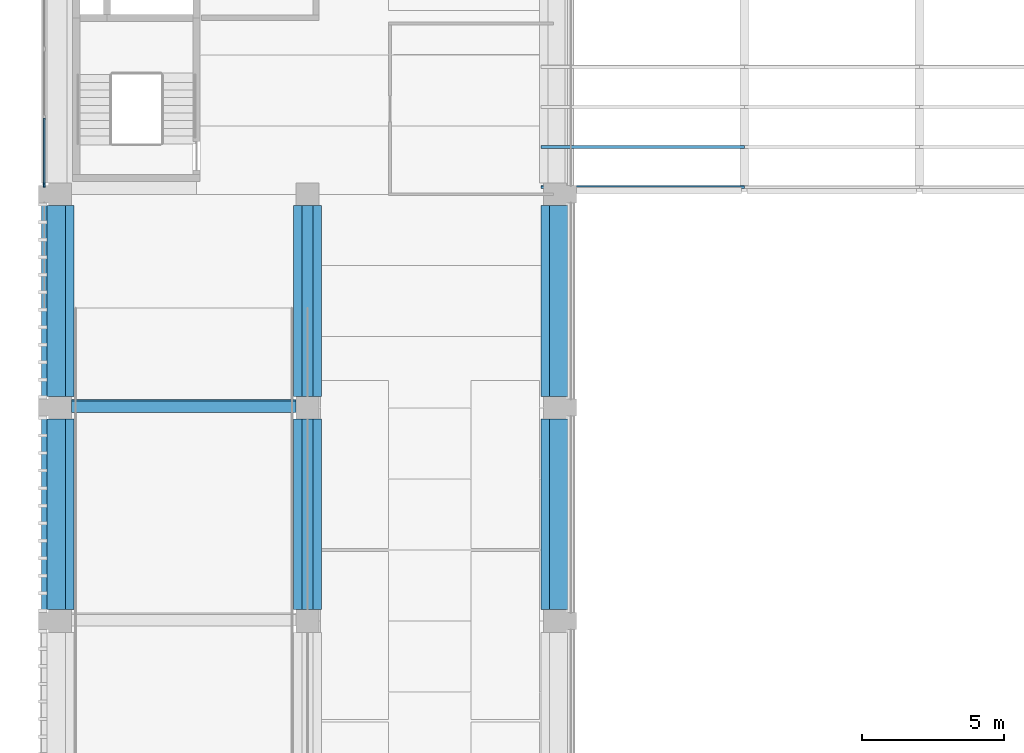
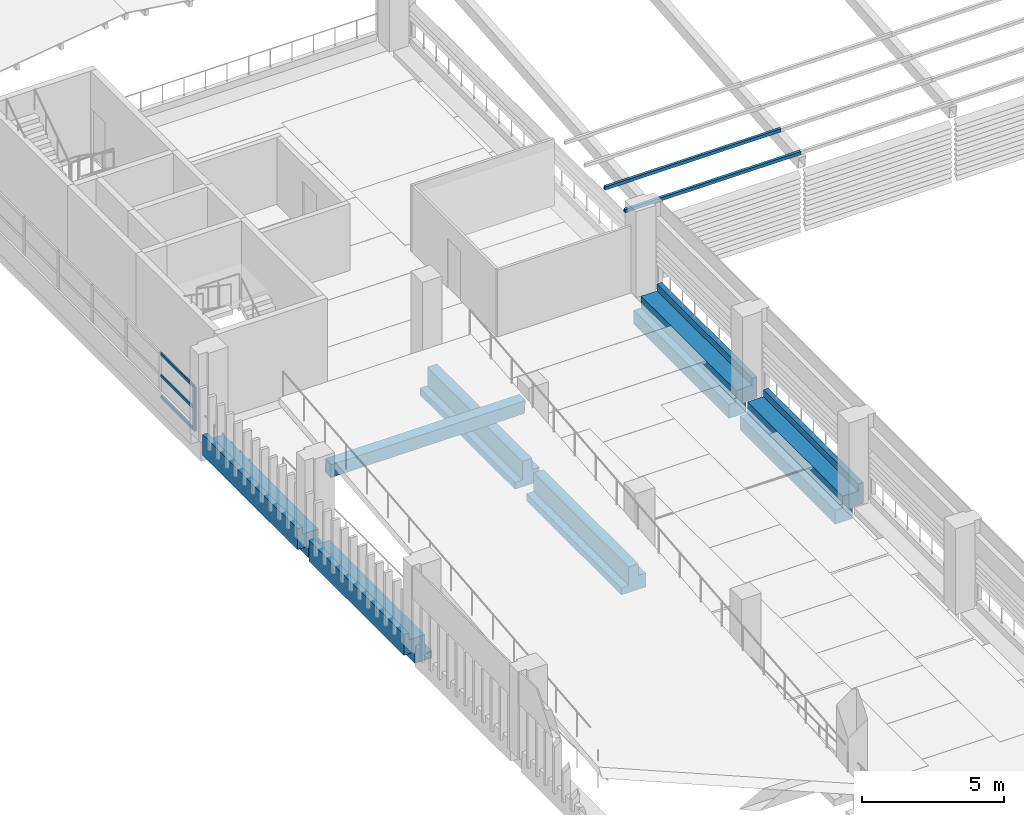
# One storey, part 3 of 52: 7 beams, 6 members, 1 element without a shape of its own.
"""IFC4 building model written with IfcOpenShell, lengths in metres."""

from ifc_helpers import new_model, si_unit, direction, frame, origin, origin_2d, place, context, subcontext, project, spatial, polyline, rectangle, hollow_rectangle, outline, extrude, material, layer, layer_set, material_profile, profile_set, type_object, element, aggregate, save


model = new_model("IFC4")

# Units and contexts
model_context = context("Model", 3, precision=1e-05, world=origin(), true_north=direction((0.0, 1.0)))
body_context = subcontext(model_context, "Body", "Model", "MODEL_VIEW")
ifc_project = project(units=[si_unit("LENGTHUNIT", "METRE"), si_unit("AREAUNIT", "SQUARE_METRE"), si_unit("VOLUMEUNIT", "CUBIC_METRE"), si_unit("PLANEANGLEUNIT", "RADIAN"), si_unit("MASSUNIT", "GRAM", prefix="KILO")], contexts=[model_context])

# Site, building, storey
site_placement = place(None, origin())
site = spatial("IfcSite", under=ifc_project, at=site_placement, CompositionType="ELEMENT")
building_placement = place(site_placement, origin())
building = spatial("IfcBuilding", under=site, at=building_placement, Name="Cour d'Honneur Mobility Palace", CompositionType="ELEMENT")
storey_placement = place(building_placement, frame((0.0, 0.0, 23.0)))
storey = spatial("IfcBuildingStorey", under=building, at=storey_placement, Name="L06", CompositionType="ELEMENT", Elevation=23.0)

# Curtain wall, members
ifc_material_1 = material(Name="Aluminium and glass", Category="aluminium")
ifc_layer = layer(ifc_material_1, 0.10009765625)
ifc_layer_set = layer_set([ifc_layer], Name="Aluminium and glass")
curtain_wall_type = type_object("IfcCurtainWallType", Name="Curtain wall run", PredefinedType="NOTDEFINED", material=ifc_layer_set)
curtain_wall_placement = place(storey_placement, origin())
curtain_wall = element("IfcCurtainWall", 1, at=curtain_wall_placement, inside=storey, type_object=curtain_wall_type, Name="Curtain wall CW-107", PredefinedType="NOTDEFINED")
ifc_material_2 = material(Name="Aluminium", Category="aluminium")
ifc_material_profile_1 = material_profile(ifc_material_2, rectangle(XDim=0.06005859375, YDim=0.159912109375, at=origin_2d()), Name="Curtain wall mullion")
ifc_profile_set_1 = profile_set([ifc_material_profile_1], Name="Aluminium")
member_type_1 = type_object("IfcMemberType", Name="Curtain wall mullion", PredefinedType="MULLION", material=ifc_profile_set_1)
member_1_placement = place(storey_placement, frame((-0.550048828125, 45.330078125, 0.0), z_axis=(0.0, 0.0, 1.0), x_axis=(1.0, 0.0, 0.0)))
member_1 = element("IfcMember", 2, at=member_1_placement, type_object=member_type_1, Name="CW-107 mullion 8", PredefinedType="MULLION", context=body_context, shape_type="SweptSolid", body=[
    extrude(rectangle(XDim=0.06005859375, YDim=0.159912109375, at=origin_2d()), origin(), (0.0, 0.0, 1.0), 1.89990234375),
])
ifc_material_3 = material(Name="Aluminium", Category="aluminium")
ifc_material_profile_2 = material_profile(ifc_material_3, rectangle(XDim=0.06005859375, YDim=0.1201171875, at=origin_2d()), Name="Curtain wall transom")
ifc_profile_set_2 = profile_set([ifc_material_profile_2], Name="Aluminium")
member_type_2 = type_object("IfcMemberType", Name="Curtain wall transom", PredefinedType="USERDEFINED", material=ifc_profile_set_2)
member_2_placement = place(storey_placement, frame((-0.550048828125, 47.669921875, 0.030029296875), z_axis=(0.0, -1.0, 0.0), x_axis=(1.0, 0.0, 0.0)))
member_2 = element("IfcMember", 3, at=member_2_placement, type_object=member_type_2, Name="CW-107 transom 7.1", ObjectType="TRANSOM", PredefinedType="USERDEFINED", context=body_context, shape_type="SweptSolid", body=[
    extrude(rectangle(XDim=0.06005859375, YDim=0.1201171875, at=origin_2d()), origin(), (0.0, 0.0, 1.0), 2.309814453125),
])
member_3_placement = place(storey_placement, frame((-0.550048828125, 47.669921875, 0.949951171875), z_axis=(0.0, -1.0, 0.0), x_axis=(1.0, 0.0, 0.0)))
member_3 = element("IfcMember", 4, at=member_3_placement, type_object=member_type_2, Name="CW-107 transom 7.2", ObjectType="TRANSOM", PredefinedType="USERDEFINED", context=body_context, shape_type="SweptSolid", body=[
    extrude(rectangle(XDim=0.06005859375, YDim=0.1201171875, at=origin_2d()), origin(), (0.0, 0.0, 1.0), 2.309814453125),
])
member_4_placement = place(storey_placement, frame((-0.550048828125, 47.669921875, 1.8701171875), z_axis=(0.0, -1.0, 0.0), x_axis=(1.0, 0.0, 0.0)))
member_4 = element("IfcMember", 5, at=member_4_placement, type_object=member_type_2, Name="CW-107 transom 7.3", ObjectType="TRANSOM", PredefinedType="USERDEFINED", context=body_context, shape_type="SweptSolid", body=[
    extrude(rectangle(XDim=0.06005859375, YDim=0.1201171875, at=origin_2d()), origin(), (0.0, 0.0, 1.0), 2.309814453125),
])
aggregate(curtain_wall, [member_1, member_2, member_3, member_4])

# Beams
ifc_material_4 = material(Name="Concrete C45", Category="concrete")
ifc_material_profile_3 = material_profile(ifc_material_4, outline(polyline([(0.5, -1.10009765625), (0.5, -0.800048828125), (0.199951171875, -0.800048828125), (0.199951171875, 0.0), (-0.199951171875, 0.0), (-0.199951171875, -0.5), (-0.5, -0.5), (-0.5, -1.10009765625), (0.5, -1.10009765625)])), Name="Inverted Tee Beam 400x1100 ledges 300/600 plain")
ifc_profile_set_3 = profile_set([ifc_material_profile_3], Name="Concrete C45")
beam_type_1 = type_object("IfcBeamType", Name="Inverted Tee Beam 400x1100 ledges 300/600 plain", PredefinedType="T_BEAM", material=ifc_profile_set_3)
for number, where, z_axis, x_axis, name in (
    (6, (8.699951171875, 30.39990234375, 0.0), (0.0, 1.0, 0.0), (-1.0, 0.0, 0.0), "Precast beam B11 E-F L06"),
    (7, (8.699951171875, 37.89990234375, 0.0), (0.0, 1.0, 0.0), (-1.0, 0.0, 0.0), "Precast beam B11 F-G L06"),
):
    element("IfcBeam", number, at=place(storey_placement, frame(where, z_axis=z_axis, x_axis=x_axis)), inside=storey, type_object=beam_type_1, Name=name, PredefinedType="T_BEAM", context=body_context, shape_type="SweptSolid", body=[
        extrude(outline(polyline([(0.5, -1.10009765625), (0.5, -0.800048828125), (0.199951171875, -0.800048828125), (0.199951171875, 0.0), (-0.199951171875, 0.0), (-0.199951171875, -0.5), (-0.5, -0.5), (-0.5, -1.10009765625), (0.5, -1.10009765625)])), origin(), (0.0, 0.0, 1.0), 6.7001953125),
    ])
ifc_material_5 = material(Name="Concrete C45", Category="concrete")
ifc_material_profile_4 = material_profile(ifc_material_5, outline(polyline([(0.5, -1.10009765625), (0.5, -0.5), (0.199951171875, -0.5), (0.199951171875, 0.0), (-0.199951171875, 0.0), (-0.449951171875, 0.0), (-0.449951171875, 0.300048828125), (-0.64990234375, 0.300048828125), (-0.64990234375, -0.60009765625), (-0.199951171875, -0.60009765625), (-0.199951171875, -1.10009765625), (0.5, -1.10009765625)])), Name="Ledger Beam 400x1100 ledge left 600 facade right")
ifc_profile_set_4 = profile_set([ifc_material_profile_4], Name="Concrete C45")
beam_type_2 = type_object("IfcBeamType", Name="Ledger Beam 400x1100 ledge left 600 facade right", PredefinedType="BEAM", material=ifc_profile_set_4)
for number, where, z_axis, x_axis, name in (
    (8, (17.39990234375, 30.39990234375, 0.0), (0.0, 1.0, 0.0), (-1.0, 0.0, 0.0), "Precast beam B12 E-F L06"),
    (9, (17.39990234375, 37.89990234375, 0.0), (0.0, 1.0, 0.0), (-1.0, 0.0, 0.0), "Precast beam B12 F-G L06"),
):
    element("IfcBeam", number, at=place(storey_placement, frame(where, z_axis=z_axis, x_axis=x_axis)), inside=storey, type_object=beam_type_2, Name=name, PredefinedType="BEAM", context=body_context, shape_type="SweptSolid", body=[
        extrude(outline(polyline([(0.5, -1.10009765625), (0.5, -0.5), (0.199951171875, -0.5), (0.199951171875, 0.0), (-0.199951171875, 0.0), (-0.449951171875, 0.0), (-0.449951171875, 0.300048828125), (-0.64990234375, 0.300048828125), (-0.64990234375, -0.60009765625), (-0.199951171875, -0.60009765625), (-0.199951171875, -1.10009765625), (0.5, -1.10009765625)])), origin(), (0.0, 0.0, 1.0), 6.7001953125),
    ])
ifc_material_6 = material(Name="Concrete C45", Category="concrete")
ifc_material_profile_5 = material_profile(ifc_material_6, outline(polyline([(0.199951171875, -1.10009765625), (0.199951171875, -0.60009765625), (0.64990234375, -0.60009765625), (0.64990234375, 0.300048828125), (0.449951171875, 0.300048828125), (0.449951171875, 0.0), (0.199951171875, 0.0), (-0.199951171875, 0.0), (-0.199951171875, -0.800048828125), (-0.5, -0.800048828125), (-0.5, -1.10009765625), (0.199951171875, -1.10009765625)])), Name="Ledger Beam 400x1100 ledge right 300 facade left")
ifc_profile_set_5 = profile_set([ifc_material_profile_5], Name="Concrete C45")
beam_type_3 = type_object("IfcBeamType", Name="Ledger Beam 400x1100 ledge right 300 facade left", PredefinedType="BEAM", material=ifc_profile_set_5)
for number, where, z_axis, x_axis, name in (
    (10, (0.0, 30.39990234375, 0.0), (0.0, 1.0, 0.0), (-1.0, 0.0, 0.0), "Precast beam B6 E-F L06"),
    (11, (0.0, 37.89990234375, 0.0), (0.0, 1.0, 0.0), (-1.0, 0.0, 0.0), "Precast beam B6 F-G L06"),
):
    element("IfcBeam", number, at=place(storey_placement, frame(where, z_axis=z_axis, x_axis=x_axis)), inside=storey, type_object=beam_type_3, Name=name, PredefinedType="BEAM", context=body_context, shape_type="SweptSolid", body=[
        extrude(outline(polyline([(0.199951171875, -1.10009765625), (0.199951171875, -0.60009765625), (0.64990234375, -0.60009765625), (0.64990234375, 0.300048828125), (0.449951171875, 0.300048828125), (0.449951171875, 0.0), (0.199951171875, 0.0), (-0.199951171875, 0.0), (-0.199951171875, -0.800048828125), (-0.5, -0.800048828125), (-0.5, -1.10009765625), (0.199951171875, -1.10009765625)])), origin(), (0.0, 0.0, 1.0), 6.7001953125),
    ])

# Members
ifc_material_7 = material(Name="Steel S355", Category="steel")
ifc_material_profile_6 = material_profile(ifc_material_7, hollow_rectangle(XDim=0.10009765625, YDim=0.14990234375, WallThickness=0.00634765625, at=origin_2d()), Name="RHS 150x100x6.3")
ifc_profile_set_6 = profile_set([ifc_material_profile_6], Name="Steel S355")
member_type_3 = type_object("IfcMemberType", Name="Pergola purlin RHS 150x100x6.3", PredefinedType="PURLIN", material=ifc_profile_set_6)
for number, where, z_axis, x_axis, name in (
    (12, (16.89990234375, 45.2548828125, 3.388671875), (1.0, 0.0, 0.0), (0.0, 0.996196869991, 0.08713091426), "Pergola purlin FW-1.1"),
    (13, (16.89990234375, 46.66259765625, 3.51171875), (1.0, 0.0, 0.0), (0.0, 0.996196869991, 0.08713091426), "Pergola purlin FW-2.1"),
):
    element("IfcMember", number, at=place(storey_placement, frame(where, z_axis=z_axis, x_axis=x_axis)), inside=storey, type_object=member_type_3, Name=name, PredefinedType="PURLIN", context=body_context, shape_type="SweptSolid", body=[
        extrude(hollow_rectangle(XDim=0.10009765625, YDim=0.14990234375, WallThickness=0.00634765625, at=origin_2d()), origin(), (0.0, 0.0, 1.0), 7.150146484375),
    ])

# Beam
ifc_material_8 = material(Name="Concrete C40", Category="concrete")
ifc_material_profile_7 = material_profile(ifc_material_8, rectangle(XDim=0.39990234375, YDim=0.60009765625, at=origin_2d()), Name="Ramp cross beam 400x600")
ifc_profile_set_7 = profile_set([ifc_material_profile_7], Name="Concrete C40")
beam_type_4 = type_object("IfcBeamType", Name="Ramp cross beam 400x600", PredefinedType="BEAM", material=ifc_profile_set_7)
beam_placement = place(storey_placement, frame((0.39990234375, 37.559814453125, 2.7529296875), z_axis=(1.0, 0.0, 0.0), x_axis=(0.0, 0.995037190449, 0.099503716633)))
element("IfcBeam", 14, at=beam_placement, inside=storey, type_object=beam_type_4, Name="Ramp cross beam SW.R6-5", PredefinedType="BEAM", context=body_context, shape_type="SweptSolid", body=[
    extrude(rectangle(XDim=0.39990234375, YDim=0.60009765625, at=origin_2d()), origin(), (0.0, 0.0, 1.0), 7.900146484375),
])

save(model, "model.ifc")
